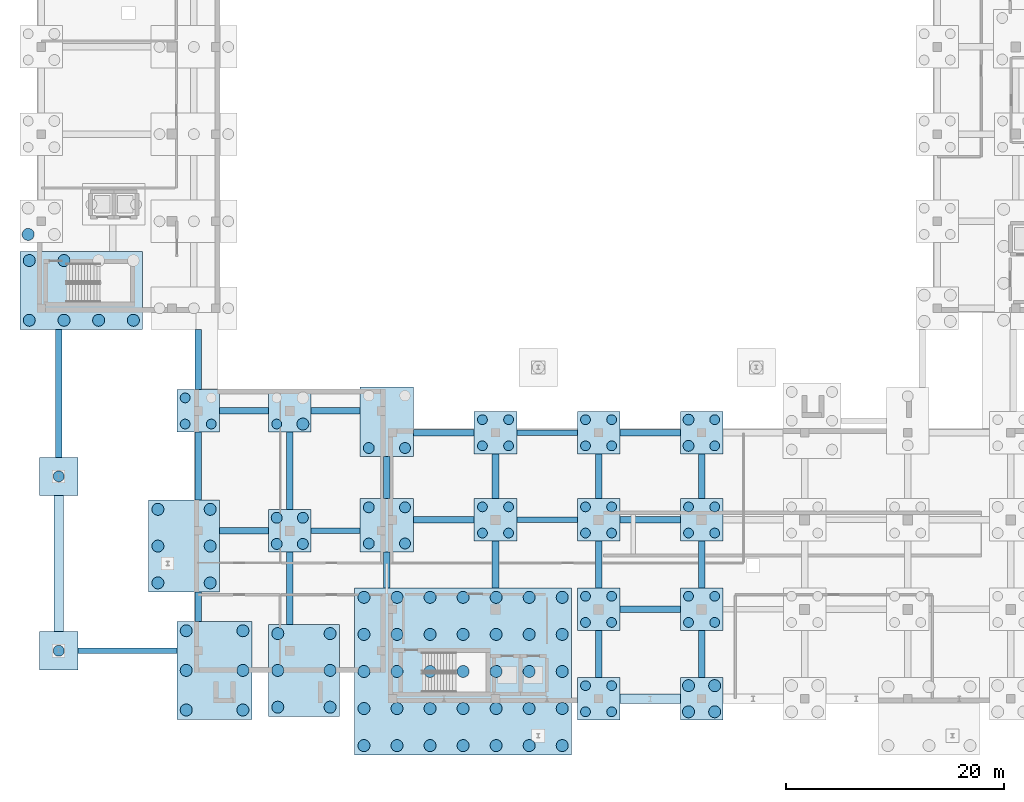
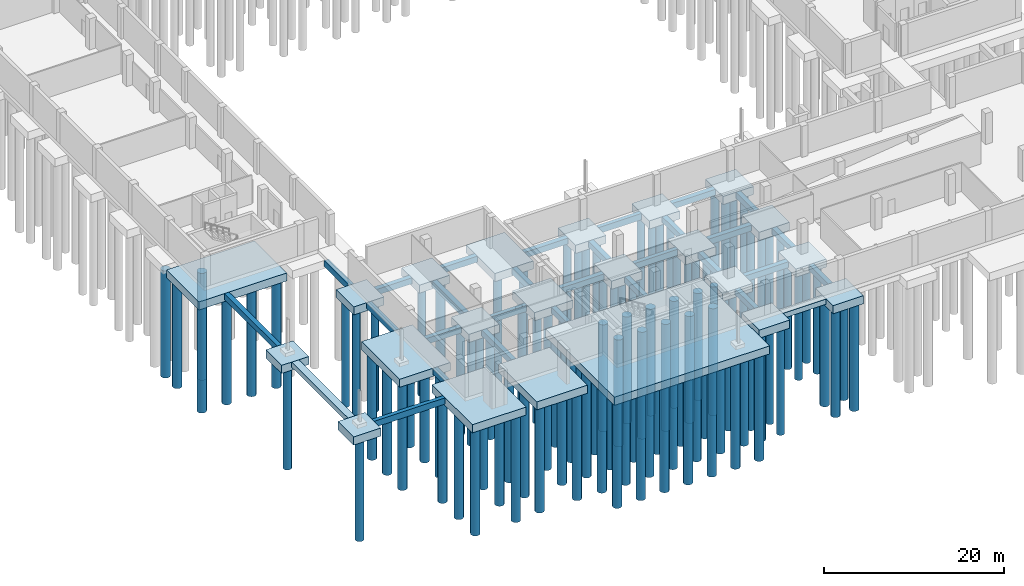
# One storey, part 1 of 31: 117 piles, 52 footings.
"""IFC4 building model written with IfcOpenShell, lengths in metres."""

from ifc_helpers import new_model, si_unit, direction, frame, origin, origin_2d, place, context, subcontext, project, spatial, rectangle, circle, extrude, material, material_profile, profile_set, type_object, element, save


model = new_model("IFC4")

# Units and contexts
model_context = context("Model", 3, precision=1e-05, world=origin(), true_north=direction((0.0, 1.0)))
body_context = subcontext(model_context, "Body", "Model", "MODEL_VIEW")
ifc_project = project(units=[si_unit("LENGTHUNIT", "METRE"), si_unit("AREAUNIT", "SQUARE_METRE"), si_unit("VOLUMEUNIT", "CUBIC_METRE"), si_unit("PLANEANGLEUNIT", "RADIAN"), si_unit("MASSUNIT", "GRAM", prefix="KILO")], contexts=[model_context])

# Site, building, storey
site_placement = place(None, origin())
site = spatial("IfcSite", under=ifc_project, at=site_placement, CompositionType="ELEMENT")
building_placement = place(site_placement, origin())
building = spatial("IfcBuilding", under=site, at=building_placement, Name="Qalavern Law Courts", CompositionType="ELEMENT")
storey_placement = place(building_placement, frame((0.0, 0.0, -8.39990234375)))
storey = spatial("IfcBuildingStorey", under=building, at=storey_placement, Name="B2", CompositionType="ELEMENT", Elevation=-8.39990234375)

# Footings
ifc_material = material(Name="Concrete C35/45", Category="concrete")
ifc_material_profile_1 = material_profile(ifc_material, rectangle(XDim=0.5, YDim=0.85009765625, at=origin_2d()), Name="RC 500x850")
ifc_profile_set_1 = profile_set([ifc_material_profile_1], Name="Concrete C35/45")
footing_type_1 = type_object("IfcFootingType", Name="STR-FB-500x850", PredefinedType="FOOTING_BEAM", material=ifc_profile_set_1)
footing_1_placement = place(storey_placement, frame((5.75, 10.0, -0.925048828125), z_axis=(1.0, 0.0, 0.0), x_axis=(0.0, 1.0, 0.0)))
element("IfcFooting", 1, at=footing_1_placement, inside=storey, type_object=footing_type_1, Name="Seismic tie beam 015", PredefinedType="FOOTING_BEAM", context=body_context, shape_type="SweptSolid", body=[
    extrude(rectangle(XDim=0.5, YDim=0.85009765625, at=origin_2d()), origin(), (0.0, 0.0, 1.0), 9.10009765625),
])
footing_2_placement = place(storey_placement, frame((27.14990234375, 21.0, -0.925048828125), z_axis=(1.0, 0.0, 0.0), x_axis=(0.0, 1.0, 0.0)))
element("IfcFooting", 2, at=footing_2_placement, inside=storey, type_object=footing_type_1, Name="Seismic tie beam 051", PredefinedType="FOOTING_BEAM", context=body_context, shape_type="SweptSolid", body=[
    extrude(rectangle(XDim=0.5, YDim=0.85009765625, at=origin_2d()), origin(), (0.0, 0.0, 1.0), 4.5),
])
for number, where, z_axis, x_axis, name in (
    (3, (46.02392578125, 22.0, -0.925048828125), (1.0, 0.0, 0.0), (0.0, 1.0, 0.0), "Seismic tie beam 057"),
    (4, (46.02392578125, 30.0, -0.925048828125), (1.0, 0.0, 0.0), (0.0, 1.0, 0.0), "Seismic tie beam 081"),
):
    element("IfcFooting", number, at=place(storey_placement, frame(where, z_axis=z_axis, x_axis=x_axis)), inside=storey, type_object=footing_type_1, Name=name, PredefinedType="FOOTING_BEAM", context=body_context, shape_type="SweptSolid", body=[
        extrude(rectangle(XDim=0.5, YDim=0.85009765625, at=origin_2d()), origin(), (0.0, 0.0, 1.0), 5.55517578125),
    ])
ifc_material_profile_2 = material_profile(ifc_material, rectangle(XDim=0.60009765625, YDim=0.800048828125, at=origin_2d()), Name="RC 600x800")
ifc_profile_set_2 = profile_set([ifc_material_profile_2], Name="Concrete C35/45")
footing_type_2 = type_object("IfcFootingType", Name="STR-FB-600x800", PredefinedType="FOOTING_BEAM", material=ifc_profile_set_2)
footing_3_placement = place(storey_placement, frame((34.110107421875, 15.75, -0.900146484375), z_axis=(0.0, 1.0, 0.0), x_axis=(-1.0, 0.0, 0.0)))
element("IfcFooting", 5, at=footing_3_placement, inside=storey, type_object=footing_type_2, Name="Seismic tie beam 008", PredefinedType="FOOTING_BEAM", context=body_context, shape_type="SweptSolid", body=[
    extrude(rectangle(XDim=0.60009765625, YDim=0.800048828125, at=origin_2d()), origin(), (0.0, 0.0, 1.0), 3.2900390625),
])
for number, where, z_axis, x_axis, name in (
    (6, (44.073974609375, 15.75, -0.900146484375), (0.0, 1.0, 0.0), (-1.0, 0.0, 0.0), "Seismic tie beam 009"),
    (7, (53.529052734375, 7.550048828125, -0.900146484375), (0.0, 1.0, 0.0), (-1.0, 0.0, 0.0), "Seismic tie beam 011"),
    (8, (62.98291015625, 7.550048828125, -0.900146484375), (0.0, 1.0, 0.0), (-1.0, 0.0, 0.0), "Seismic tie beam 012"),
):
    element("IfcFooting", number, at=place(storey_placement, frame(where, z_axis=z_axis, x_axis=x_axis)), inside=storey, type_object=footing_type_2, Name=name, PredefinedType="FOOTING_BEAM", context=body_context, shape_type="SweptSolid", body=[
        extrude(rectangle(XDim=0.60009765625, YDim=0.800048828125, at=origin_2d()), origin(), (0.0, 0.0, 1.0), 4.300048828125),
    ])
footing_4_placement = place(storey_placement, frame((16.800048828125, 12.68505859375, -0.900146484375), z_axis=(0.0, 1.0, 0.0), x_axis=(-1.0, 0.0, 0.0)))
element("IfcFooting", 9, at=footing_4_placement, inside=storey, type_object=footing_type_2, Name="Seismic tie beam 016", PredefinedType="FOOTING_BEAM", context=body_context, shape_type="SweptSolid", body=[
    extrude(rectangle(XDim=0.60009765625, YDim=0.800048828125, at=origin_2d()), origin(), (0.0, 0.0, 1.0), 2.68994140625),
])
footing_5_placement = place(storey_placement, frame((25.199951171875, 12.425048828125, -0.900146484375), z_axis=(0.0, 1.0, 0.0), x_axis=(-1.0, 0.0, 0.0)))
element("IfcFooting", 10, at=footing_5_placement, inside=storey, type_object=footing_type_2, Name="Seismic tie beam 017", PredefinedType="FOOTING_BEAM", context=body_context, shape_type="SweptSolid", body=[
    extrude(rectangle(XDim=0.60009765625, YDim=0.800048828125, at=origin_2d()), origin(), (0.0, 0.0, 1.0), 6.625),
])
footing_6_placement = place(storey_placement, frame((55.47900390625, 13.800048828125, -0.900146484375), z_axis=(1.0, 0.0, 0.0), x_axis=(0.0, 1.0, 0.0)))
element("IfcFooting", 11, at=footing_6_placement, inside=storey, type_object=footing_type_2, Name="Seismic tie beam 025", PredefinedType="FOOTING_BEAM", context=body_context, shape_type="SweptSolid", body=[
    extrude(rectangle(XDim=0.60009765625, YDim=0.800048828125, at=origin_2d()), origin(), (0.0, 0.0, 1.0), 5.553955078125),
])
for number, where, z_axis, x_axis, name in (
    (12, (53.529052734375, 15.75, -0.900146484375), (0.0, 1.0, 0.0), (-1.0, 0.0, 0.0), "Seismic tie beam 026"),
    (13, (62.98291015625, 15.75, -0.900146484375), (0.0, 1.0, 0.0), (-1.0, 0.0, 0.0), "Seismic tie beam 028"),
):
    element("IfcFooting", number, at=place(storey_placement, frame(where, z_axis=z_axis, x_axis=x_axis)), inside=storey, type_object=footing_type_2, Name=name, PredefinedType="FOOTING_BEAM", context=body_context, shape_type="SweptSolid", body=[
        extrude(rectangle(XDim=0.60009765625, YDim=0.800048828125, at=origin_2d()), origin(), (0.0, 0.0, 1.0), 4.300048828125),
    ])
footing_7_placement = place(storey_placement, frame((18.75, 21.0, -0.900146484375), z_axis=(1.0, 0.0, 0.0), x_axis=(0.0, 1.0, 0.0)))
element("IfcFooting", 14, at=footing_7_placement, inside=storey, type_object=footing_type_2, Name="Seismic tie beam 049", PredefinedType="FOOTING_BEAM", context=body_context, shape_type="SweptSolid", body=[
    extrude(rectangle(XDim=0.60009765625, YDim=0.800048828125, at=origin_2d()), origin(), (0.0, 0.0, 1.0), 4.5),
])
footing_8_placement = place(storey_placement, frame((16.800048828125, 23.824951171875, -0.900146484375), z_axis=(0.0, 1.0, 0.0), x_axis=(-1.0, 0.0, 0.0)))
element("IfcFooting", 15, at=footing_8_placement, inside=storey, type_object=footing_type_2, Name="Seismic tie beam 050", PredefinedType="FOOTING_BEAM", context=body_context, shape_type="SweptSolid", body=[
    extrude(rectangle(XDim=0.60009765625, YDim=0.800048828125, at=origin_2d()), origin(), (0.0, 0.0, 1.0), 6.22509765625),
])
footing_9_placement = place(storey_placement, frame((36.570068359375, 22.0, -0.900146484375), z_axis=(1.0, 0.0, 0.0), x_axis=(0.0, 1.0, 0.0)))
element("IfcFooting", 16, at=footing_9_placement, inside=storey, type_object=footing_type_2, Name="Seismic tie beam 052", PredefinedType="FOOTING_BEAM", context=body_context, shape_type="SweptSolid", body=[
    extrude(rectangle(XDim=0.60009765625, YDim=0.800048828125, at=origin_2d()), origin(), (0.0, 0.0, 1.0), 5.553955078125),
])
footing_10_placement = place(storey_placement, frame((34.110107421875, 23.9599609375, -0.900146484375), z_axis=(0.0, 1.0, 0.0), x_axis=(-1.0, 0.0, 0.0)))
element("IfcFooting", 17, at=footing_10_placement, inside=storey, type_object=footing_type_2, Name="Seismic tie beam 053", PredefinedType="FOOTING_BEAM", context=body_context, shape_type="SweptSolid", body=[
    extrude(rectangle(XDim=0.60009765625, YDim=0.800048828125, at=origin_2d()), origin(), (0.0, 0.0, 1.0), 3.842041015625),
])
footing_11_placement = place(storey_placement, frame((25.199951171875, 22.949951171875, -0.900146484375), z_axis=(0.0, 1.0, 0.0), x_axis=(-1.0, 0.0, 0.0)))
element("IfcFooting", 18, at=footing_11_placement, inside=storey, type_object=footing_type_2, Name="Seismic tie beam 054", PredefinedType="FOOTING_BEAM", context=body_context, shape_type="SweptSolid", body=[
    extrude(rectangle(XDim=0.60009765625, YDim=0.800048828125, at=origin_2d()), origin(), (0.0, 0.0, 1.0), 7.10009765625),
])
footing_12_placement = place(storey_placement, frame((44.073974609375, 23.949951171875, -0.900146484375), z_axis=(0.0, 1.0, 0.0), x_axis=(-1.0, 0.0, 0.0)))
element("IfcFooting", 19, at=footing_12_placement, inside=storey, type_object=footing_type_2, Name="Seismic tie beam 058", PredefinedType="FOOTING_BEAM", context=body_context, shape_type="SweptSolid", body=[
    extrude(rectangle(XDim=0.60009765625, YDim=0.800048828125, at=origin_2d()), origin(), (0.0, 0.0, 1.0), 4.10009765625),
])
footing_13_placement = place(storey_placement, frame((55.47900390625, 22.0, -0.900146484375), z_axis=(1.0, 0.0, 0.0), x_axis=(0.0, 1.0, 0.0)))
element("IfcFooting", 20, at=footing_13_placement, inside=storey, type_object=footing_type_2, Name="Seismic tie beam 059", PredefinedType="FOOTING_BEAM", context=body_context, shape_type="SweptSolid", body=[
    extrude(rectangle(XDim=0.60009765625, YDim=0.800048828125, at=origin_2d()), origin(), (0.0, 0.0, 1.0), 5.553955078125),
])
for number, where, z_axis, x_axis, name in (
    (21, (53.529052734375, 23.949951171875, -0.900146484375), (0.0, 1.0, 0.0), (-1.0, 0.0, 0.0), "Seismic tie beam 060"),
    (22, (62.98291015625, 23.949951171875, -0.900146484375), (0.0, 1.0, 0.0), (-1.0, 0.0, 0.0), "Seismic tie beam 062"),
):
    element("IfcFooting", number, at=place(storey_placement, frame(where, z_axis=z_axis, x_axis=x_axis)), inside=storey, type_object=footing_type_2, Name=name, PredefinedType="FOOTING_BEAM", context=body_context, shape_type="SweptSolid", body=[
        extrude(rectangle(XDim=0.60009765625, YDim=0.800048828125, at=origin_2d()), origin(), (0.0, 0.0, 1.0), 4.10009765625),
    ])
footing_14_placement = place(storey_placement, frame((4.0, 27.75, -0.900146484375), z_axis=(0.0, 1.0, 0.0), x_axis=(-1.0, 0.0, 0.0)))
element("IfcFooting", 23, at=footing_14_placement, inside=storey, type_object=footing_type_2, Name="Seismic tie beam 076", PredefinedType="FOOTING_BEAM", context=body_context, shape_type="SweptSolid", body=[
    extrude(rectangle(XDim=0.60009765625, YDim=0.800048828125, at=origin_2d()), origin(), (0.0, 0.0, 1.0), 11.719970703125),
])
footing_15_placement = place(storey_placement, frame((36.570068359375, 30.0, -0.900146484375), z_axis=(1.0, 0.0, 0.0), x_axis=(0.0, 1.0, 0.0)))
element("IfcFooting", 24, at=footing_15_placement, inside=storey, type_object=footing_type_2, Name="Seismic tie beam 079", PredefinedType="FOOTING_BEAM", context=body_context, shape_type="SweptSolid", body=[
    extrude(rectangle(XDim=0.60009765625, YDim=0.800048828125, at=origin_2d()), origin(), (0.0, 0.0, 1.0), 5.553955078125),
])
footing_16_placement = place(storey_placement, frame((27.14990234375, 32.0, -0.900146484375), z_axis=(1.0, 0.0, 0.0), x_axis=(0.0, 1.0, 0.0)))
element("IfcFooting", 25, at=footing_16_placement, inside=storey, type_object=footing_type_2, Name="Seismic tie beam 080", PredefinedType="FOOTING_BEAM", context=body_context, shape_type="SweptSolid", body=[
    extrude(rectangle(XDim=0.60009765625, YDim=0.800048828125, at=origin_2d()), origin(), (0.0, 0.0, 1.0), 4.5),
])
footing_17_placement = place(storey_placement, frame((55.47900390625, 30.0, -0.900146484375), z_axis=(1.0, 0.0, 0.0), x_axis=(0.0, 1.0, 0.0)))
element("IfcFooting", 26, at=footing_17_placement, inside=storey, type_object=footing_type_2, Name="Seismic tie beam 082", PredefinedType="FOOTING_BEAM", context=body_context, shape_type="SweptSolid", body=[
    extrude(rectangle(XDim=0.60009765625, YDim=0.800048828125, at=origin_2d()), origin(), (0.0, 0.0, 1.0), 5.553955078125),
])
footing_18_placement = place(storey_placement, frame((18.75, 32.0, -0.900146484375), z_axis=(1.0, 0.0, 0.0), x_axis=(0.0, 1.0, 0.0)))
element("IfcFooting", 27, at=footing_18_placement, inside=storey, type_object=footing_type_2, Name="Seismic tie beam 088", PredefinedType="FOOTING_BEAM", context=body_context, shape_type="SweptSolid", body=[
    extrude(rectangle(XDim=0.60009765625, YDim=0.800048828125, at=origin_2d()), origin(), (0.0, 0.0, 1.0), 4.5),
])
footing_19_placement = place(storey_placement, frame((16.800048828125, 33.949951171875, -0.900146484375), z_axis=(0.0, 1.0, 0.0), x_axis=(-1.0, 0.0, 0.0)))
element("IfcFooting", 28, at=footing_19_placement, inside=storey, type_object=footing_type_2, Name="Seismic tie beam 089", PredefinedType="FOOTING_BEAM", context=body_context, shape_type="SweptSolid", body=[
    extrude(rectangle(XDim=0.60009765625, YDim=0.800048828125, at=origin_2d()), origin(), (0.0, 0.0, 1.0), 5.52001953125),
])
footing_type_3 = type_object("IfcFootingType", Name="STR-PC-11250x7180x1100", PredefinedType="PILE_CAP", material=ifc_material)
footing_20_placement = place(storey_placement, frame((6.074951171875, 43.06005859375, -1.60009765625), z_axis=(0.0, 0.0, 1.0), x_axis=(1.0, 0.0, 0.0)))
element("IfcFooting", 29, at=footing_20_placement, inside=storey, type_object=footing_type_3, Name="Pile cap 069", PredefinedType="PILE_CAP", context=body_context, shape_type="SweptSolid", body=[
    extrude(rectangle(XDim=11.25, YDim=7.179931640625, at=origin_2d()), origin(), (0.0, 0.0, 1.0), 1.10009765625),
])
footing_type_4 = type_object("IfcFootingType", Name="STR-PC-19890x15300x1100", PredefinedType="PILE_CAP", material=ifc_material)
footing_21_placement = place(storey_placement, frame((41.10107421875, 8.10009765625, -1.60009765625), z_axis=(0.0, 0.0, 1.0), x_axis=(1.0, 0.0, 0.0)))
element("IfcFooting", 30, at=footing_21_placement, inside=storey, type_object=footing_type_4, Name="Pile cap 009", PredefinedType="PILE_CAP", context=body_context, shape_type="SweptSolid", body=[
    extrude(rectangle(XDim=19.889892578125, YDim=15.300048828125, at=origin_2d()), origin(), (0.0, 0.0, 1.0), 1.10009765625),
])
footing_type_5 = type_object("IfcFootingType", Name="STR-PC-3500x3500x1100", PredefinedType="PILE_CAP", material=ifc_material)
for number, where, z_axis, x_axis, name in (
    (31, (4.0, 10.0, -1.60009765625), (0.0, 0.0, 1.0), (1.0, 0.0, 0.0), "Pile cap 023"),
    (32, (4.0, 26.0, -1.60009765625), (0.0, 0.0, 1.0), (1.0, 0.0, 0.0), "Pile cap 056"),
):
    element("IfcFooting", number, at=place(storey_placement, frame(where, z_axis=z_axis, x_axis=x_axis)), inside=storey, type_object=footing_type_5, Name=name, PredefinedType="PILE_CAP", context=body_context, shape_type="SweptSolid", body=[
        extrude(rectangle(XDim=3.5, YDim=3.5, at=origin_2d()), origin(), (0.0, 0.0, 1.0), 1.10009765625),
    ])
footing_type_6 = type_object("IfcFootingType", Name="STR-PC-3900x3900x1100", PredefinedType="PILE_CAP", material=ifc_material)
for number, where, z_axis, x_axis, name in (
    (33, (53.529052734375, 5.60009765625, -1.60009765625), (0.0, 0.0, 1.0), (1.0, 0.0, 0.0), "Pile cap 011"),
    (34, (62.98291015625, 5.60009765625, -1.60009765625), (0.0, 0.0, 1.0), (1.0, 0.0, 0.0), "Pile cap 012"),
    (35, (53.529052734375, 13.800048828125, -1.60009765625), (0.0, 0.0, 1.0), (1.0, 0.0, 0.0), "Pile cap 025"),
    (36, (62.98291015625, 13.800048828125, -1.60009765625), (0.0, 0.0, 1.0), (1.0, 0.0, 0.0), "Pile cap 026"),
    (37, (25.199951171875, 21.0, -1.60009765625), (0.0, 0.0, 1.0), (1.0, 0.0, 0.0), "Pile cap 040"),
    (38, (44.073974609375, 22.0, -1.60009765625), (0.0, 0.0, 1.0), (1.0, 0.0, 0.0), "Pile cap 042"),
    (39, (53.529052734375, 22.0, -1.60009765625), (0.0, 0.0, 1.0), (1.0, 0.0, 0.0), "Pile cap 043"),
    (40, (62.98291015625, 22.0, -1.60009765625), (0.0, 0.0, 1.0), (1.0, 0.0, 0.0), "Pile cap 044"),
    (41, (44.073974609375, 30.0, -1.60009765625), (0.0, 0.0, 1.0), (1.0, 0.0, 0.0), "Pile cap 059"),
    (42, (53.529052734375, 30.0, -1.60009765625), (0.0, 0.0, 1.0), (1.0, 0.0, 0.0), "Pile cap 060"),
    (43, (62.98291015625, 30.0, -1.60009765625), (0.0, 0.0, 1.0), (1.0, 0.0, 0.0), "Pile cap 061"),
    (44, (16.800048828125, 32.0, -1.60009765625), (0.0, 0.0, 1.0), (1.0, 0.0, 0.0), "Pile cap 065"),
    (45, (25.199951171875, 32.0, -1.60009765625), (0.0, 0.0, 1.0), (1.0, 0.0, 0.0), "Pile cap 066"),
):
    element("IfcFooting", number, at=place(storey_placement, frame(where, z_axis=z_axis, x_axis=x_axis)), inside=storey, type_object=footing_type_6, Name=name, PredefinedType="PILE_CAP", context=body_context, shape_type="SweptSolid", body=[
        extrude(rectangle(XDim=3.89990234375, YDim=3.89990234375, at=origin_2d()), origin(), (0.0, 0.0, 1.0), 1.10009765625),
    ])
footing_type_7 = type_object("IfcFootingType", Name="STR-PC-4920x4920x1100", PredefinedType="PILE_CAP", material=ifc_material)
footing_22_placement = place(storey_placement, frame((34.110107421875, 21.5, -1.60009765625), z_axis=(0.0, 0.0, 1.0), x_axis=(1.0, 0.0, 0.0)))
element("IfcFooting", 46, at=footing_22_placement, inside=storey, type_object=footing_type_7, Name="Pile cap 039", PredefinedType="PILE_CAP", context=body_context, shape_type="SweptSolid", body=[
    extrude(rectangle(XDim=4.919921875, YDim=4.919921875, at=origin_2d()), origin(), (0.0, 0.0, 1.0), 1.10009765625),
])
footing_type_8 = type_object("IfcFootingType", Name="STR-PC-4920x6396x1100", PredefinedType="PILE_CAP", material=ifc_material)
footing_23_placement = place(storey_placement, frame((34.110107421875, 31.0, -1.60009765625), z_axis=(0.0, 0.0, 1.0), x_axis=(1.0, 0.0, 0.0)))
element("IfcFooting", 47, at=footing_23_placement, inside=storey, type_object=footing_type_8, Name="Pile cap 058", PredefinedType="PILE_CAP", context=body_context, shape_type="SweptSolid", body=[
    extrude(rectangle(XDim=4.919921875, YDim=6.39599609375, at=origin_2d()), origin(), (0.0, 0.0, 1.0), 1.10009765625),
])
footing_type_9 = type_object("IfcFootingType", Name="STR-PC-6500x8450x1100", PredefinedType="PILE_CAP", material=ifc_material)
for number, where, z_axis, x_axis, name in (
    (48, (26.5, 8.199951171875, -1.60009765625), (0.0, 0.0, 1.0), (1.0, 0.0, 0.0), "Pile cap 016"),
    (49, (15.5, 19.60009765625, -1.60009765625), (0.0, 0.0, 1.0), (1.0, 0.0, 0.0), "Pile cap 038"),
):
    element("IfcFooting", number, at=place(storey_placement, frame(where, z_axis=z_axis, x_axis=x_axis)), inside=storey, type_object=footing_type_9, Name=name, PredefinedType="PILE_CAP", context=body_context, shape_type="SweptSolid", body=[
        extrude(rectangle(XDim=6.5, YDim=8.449951171875, at=origin_2d()), origin(), (0.0, 0.0, 1.0), 1.10009765625),
    ])
footing_type_10 = type_object("IfcFootingType", Name="STR-PC-6900x8970x1100", PredefinedType="PILE_CAP", material=ifc_material)
footing_24_placement = place(storey_placement, frame((18.300048828125, 8.199951171875, -1.60009765625), z_axis=(0.0, 0.0, 1.0), x_axis=(1.0, 0.0, 0.0)))
element("IfcFooting", 50, at=footing_24_placement, inside=storey, type_object=footing_type_10, Name="Pile cap 015", PredefinedType="PILE_CAP", context=body_context, shape_type="SweptSolid", body=[
    extrude(rectangle(XDim=6.89990234375, YDim=8.969970703125, at=origin_2d()), origin(), (0.0, 0.0, 1.0), 1.10009765625),
])

# Piles
ifc_material_profile_3 = material_profile(ifc_material, circle(Radius=0.5, at=origin_2d()), Name="BORED PILE 1000")
ifc_profile_set_3 = profile_set([ifc_material_profile_3], Name="Concrete C35/45")
pile_type_1 = type_object("IfcPileType", Name="STR-PILE-1000", PredefinedType="BORED", material=ifc_profile_set_3)
for number, where, z_axis, x_axis, name in (
    (51, (4.0, 10.0, -1.5), (0.0, 0.0, -1.0), (1.0, 0.0, 0.0), "Bored pile 0128"),
    (52, (32.449951171875, 19.840087890625, -1.5), (0.0, 0.0, -1.0), (1.0, 0.0, 0.0), "Bored pile 0191"),
    (53, (32.449951171875, 23.159912109375, -1.5), (0.0, 0.0, -1.0), (1.0, 0.0, 0.0), "Bored pile 0192"),
    (54, (35.77001953125, 19.840087890625, -1.5), (0.0, 0.0, -1.0), (1.0, 0.0, 0.0), "Bored pile 0193"),
    (55, (35.77001953125, 23.159912109375, -1.5), (0.0, 0.0, -1.0), (1.0, 0.0, 0.0), "Bored pile 0194"),
    (56, (24.0, 19.800048828125, -1.5), (0.0, 0.0, -1.0), (1.0, 0.0, 0.0), "Bored pile 0195"),
    (57, (24.0, 22.199951171875, -1.5), (0.0, 0.0, -1.0), (1.0, 0.0, 0.0), "Bored pile 0196"),
    (58, (26.39990234375, 19.800048828125, -1.5), (0.0, 0.0, -1.0), (1.0, 0.0, 0.0), "Bored pile 0197"),
    (59, (26.39990234375, 22.199951171875, -1.5), (0.0, 0.0, -1.0), (1.0, 0.0, 0.0), "Bored pile 0198"),
    (60, (4.0, 26.0, -1.5), (0.0, 0.0, -1.0), (1.0, 0.0, 0.0), "Bored pile 0257"),
    (61, (32.449951171875, 28.60205078125, -1.5), (0.0, 0.0, -1.0), (1.0, 0.0, 0.0), "Bored pile 0264"),
    (62, (35.77001953125, 28.60205078125, -1.5), (0.0, 0.0, -1.0), (1.0, 0.0, 0.0), "Bored pile 0266"),
    (63, (61.782958984375, 28.800048828125, -1.5), (0.0, 0.0, -1.0), (1.0, 0.0, 0.0), "Bored pile 0276"),
    (64, (61.782958984375, 31.199951171875, -1.5), (0.0, 0.0, -1.0), (1.0, 0.0, 0.0), "Bored pile 0277"),
):
    element("IfcPile", number, at=place(storey_placement, frame(where, z_axis=z_axis, x_axis=x_axis)), inside=storey, type_object=pile_type_1, Name=name, PredefinedType="BORED", context=body_context, shape_type="SweptSolid", body=[
        extrude(circle(Radius=0.5, at=origin_2d()), origin(), (0.0, 0.0, 1.0), 14.5),
    ])
ifc_material_profile_4 = material_profile(ifc_material, circle(Radius=0.550048828125, at=origin_2d()), Name="BORED PILE 1100")
ifc_profile_set_4 = profile_set([ifc_material_profile_4], Name="Concrete C35/45")
pile_type_2 = type_object("IfcPileType", Name="STR-PILE-1100", PredefinedType="BORED", material=ifc_profile_set_4)
for number, where, z_axis, x_axis, name in (
    (65, (32.006103515625, 1.300048828125, -1.5), (0.0, 0.0, -1.0), (1.0, 0.0, 0.0), "Bored pile 0035"),
    (66, (32.006103515625, 4.699951171875, -1.5), (0.0, 0.0, -1.0), (1.0, 0.0, 0.0), "Bored pile 0036"),
    (67, (32.006103515625, 8.10009765625, -1.5), (0.0, 0.0, -1.0), (1.0, 0.0, 0.0), "Bored pile 0037"),
    (68, (32.006103515625, 11.5, -1.5), (0.0, 0.0, -1.0), (1.0, 0.0, 0.0), "Bored pile 0038"),
    (69, (32.006103515625, 14.89990234375, -1.5), (0.0, 0.0, -1.0), (1.0, 0.0, 0.0), "Bored pile 0039"),
    (70, (35.03759765625, 1.300048828125, -1.5), (0.0, 0.0, -1.0), (1.0, 0.0, 0.0), "Bored pile 0040"),
    (71, (35.03759765625, 4.699951171875, -1.5), (0.0, 0.0, -1.0), (1.0, 0.0, 0.0), "Bored pile 0041"),
    (72, (35.03759765625, 8.10009765625, -1.5), (0.0, 0.0, -1.0), (1.0, 0.0, 0.0), "Bored pile 0042"),
    (73, (35.03759765625, 11.5, -1.5), (0.0, 0.0, -1.0), (1.0, 0.0, 0.0), "Bored pile 0043"),
    (74, (35.03759765625, 14.89990234375, -1.5), (0.0, 0.0, -1.0), (1.0, 0.0, 0.0), "Bored pile 0044"),
    (75, (38.0693359375, 1.300048828125, -1.5), (0.0, 0.0, -1.0), (1.0, 0.0, 0.0), "Bored pile 0045"),
    (76, (38.0693359375, 4.699951171875, -1.5), (0.0, 0.0, -1.0), (1.0, 0.0, 0.0), "Bored pile 0046"),
    (77, (38.0693359375, 8.10009765625, -1.5), (0.0, 0.0, -1.0), (1.0, 0.0, 0.0), "Bored pile 0047"),
    (78, (38.0693359375, 11.5, -1.5), (0.0, 0.0, -1.0), (1.0, 0.0, 0.0), "Bored pile 0048"),
    (79, (38.0693359375, 14.89990234375, -1.5), (0.0, 0.0, -1.0), (1.0, 0.0, 0.0), "Bored pile 0049"),
    (80, (41.10107421875, 1.300048828125, -1.5), (0.0, 0.0, -1.0), (1.0, 0.0, 0.0), "Bored pile 0050"),
    (81, (41.10107421875, 4.699951171875, -1.5), (0.0, 0.0, -1.0), (1.0, 0.0, 0.0), "Bored pile 0051"),
    (82, (41.10107421875, 8.10009765625, -1.5), (0.0, 0.0, -1.0), (1.0, 0.0, 0.0), "Bored pile 0052"),
    (83, (41.10107421875, 11.5, -1.5), (0.0, 0.0, -1.0), (1.0, 0.0, 0.0), "Bored pile 0053"),
    (84, (41.10107421875, 14.89990234375, -1.5), (0.0, 0.0, -1.0), (1.0, 0.0, 0.0), "Bored pile 0054"),
    (85, (44.1328125, 1.300048828125, -1.5), (0.0, 0.0, -1.0), (1.0, 0.0, 0.0), "Bored pile 0055"),
    (86, (44.1328125, 4.699951171875, -1.5), (0.0, 0.0, -1.0), (1.0, 0.0, 0.0), "Bored pile 0056"),
    (87, (44.1328125, 8.10009765625, -1.5), (0.0, 0.0, -1.0), (1.0, 0.0, 0.0), "Bored pile 0057"),
    (88, (44.1328125, 11.5, -1.5), (0.0, 0.0, -1.0), (1.0, 0.0, 0.0), "Bored pile 0058"),
    (89, (44.1328125, 14.89990234375, -1.5), (0.0, 0.0, -1.0), (1.0, 0.0, 0.0), "Bored pile 0059"),
    (90, (47.164306640625, 1.300048828125, -1.5), (0.0, 0.0, -1.0), (1.0, 0.0, 0.0), "Bored pile 0060"),
    (91, (47.164306640625, 4.699951171875, -1.5), (0.0, 0.0, -1.0), (1.0, 0.0, 0.0), "Bored pile 0061"),
    (92, (47.164306640625, 8.10009765625, -1.5), (0.0, 0.0, -1.0), (1.0, 0.0, 0.0), "Bored pile 0062"),
    (93, (47.164306640625, 11.5, -1.5), (0.0, 0.0, -1.0), (1.0, 0.0, 0.0), "Bored pile 0063"),
    (94, (47.164306640625, 14.89990234375, -1.5), (0.0, 0.0, -1.0), (1.0, 0.0, 0.0), "Bored pile 0064"),
    (95, (50.196044921875, 1.300048828125, -1.5), (0.0, 0.0, -1.0), (1.0, 0.0, 0.0), "Bored pile 0065"),
    (96, (50.196044921875, 4.699951171875, -1.5), (0.0, 0.0, -1.0), (1.0, 0.0, 0.0), "Bored pile 0066"),
    (97, (50.196044921875, 8.10009765625, -1.5), (0.0, 0.0, -1.0), (1.0, 0.0, 0.0), "Bored pile 0067"),
    (98, (50.196044921875, 11.5, -1.5), (0.0, 0.0, -1.0), (1.0, 0.0, 0.0), "Bored pile 0068"),
    (99, (50.196044921875, 14.89990234375, -1.5), (0.0, 0.0, -1.0), (1.0, 0.0, 0.0), "Bored pile 0069"),
    (100, (61.782958984375, 4.39990234375, -1.5), (0.0, 0.0, -1.0), (1.0, 0.0, 0.0), "Bored pile 0080"),
    (101, (61.782958984375, 6.800048828125, -1.5), (0.0, 0.0, -1.0), (1.0, 0.0, 0.0), "Bored pile 0081"),
    (102, (64.18310546875, 4.39990234375, -1.5), (0.0, 0.0, -1.0), (1.0, 0.0, 0.0), "Bored pile 0082"),
    (103, (64.18310546875, 6.800048828125, -1.5), (0.0, 0.0, -1.0), (1.0, 0.0, 0.0), "Bored pile 0083"),
    (104, (15.699951171875, 4.56494140625, -1.5), (0.0, 0.0, -1.0), (1.0, 0.0, 0.0), "Bored pile 0092"),
    (105, (15.699951171875, 8.199951171875, -1.5), (0.0, 0.0, -1.0), (1.0, 0.0, 0.0), "Bored pile 0093"),
    (106, (15.699951171875, 11.8349609375, -1.5), (0.0, 0.0, -1.0), (1.0, 0.0, 0.0), "Bored pile 0094"),
    (107, (20.89990234375, 4.56494140625, -1.5), (0.0, 0.0, -1.0), (1.0, 0.0, 0.0), "Bored pile 0095"),
    (108, (20.89990234375, 8.199951171875, -1.5), (0.0, 0.0, -1.0), (1.0, 0.0, 0.0), "Bored pile 0096"),
    (109, (20.89990234375, 11.8349609375, -1.5), (0.0, 0.0, -1.0), (1.0, 0.0, 0.0), "Bored pile 0097"),
    (110, (24.10009765625, 4.824951171875, -1.5), (0.0, 0.0, -1.0), (1.0, 0.0, 0.0), "Bored pile 0098"),
    (111, (24.10009765625, 8.199951171875, -1.5), (0.0, 0.0, -1.0), (1.0, 0.0, 0.0), "Bored pile 0099"),
    (112, (24.10009765625, 11.574951171875, -1.5), (0.0, 0.0, -1.0), (1.0, 0.0, 0.0), "Bored pile 0100"),
    (113, (28.89990234375, 4.824951171875, -1.5), (0.0, 0.0, -1.0), (1.0, 0.0, 0.0), "Bored pile 0101"),
    (114, (28.89990234375, 8.199951171875, -1.5), (0.0, 0.0, -1.0), (1.0, 0.0, 0.0), "Bored pile 0102"),
    (115, (28.89990234375, 11.574951171875, -1.5), (0.0, 0.0, -1.0), (1.0, 0.0, 0.0), "Bored pile 0103"),
    (116, (13.10009765625, 16.22509765625, -1.5), (0.0, 0.0, -1.0), (1.0, 0.0, 0.0), "Bored pile 0185"),
    (117, (13.10009765625, 19.60009765625, -1.5), (0.0, 0.0, -1.0), (1.0, 0.0, 0.0), "Bored pile 0186"),
    (118, (13.10009765625, 22.97509765625, -1.5), (0.0, 0.0, -1.0), (1.0, 0.0, 0.0), "Bored pile 0187"),
    (119, (17.89990234375, 16.22509765625, -1.5), (0.0, 0.0, -1.0), (1.0, 0.0, 0.0), "Bored pile 0188"),
    (120, (17.89990234375, 19.60009765625, -1.5), (0.0, 0.0, -1.0), (1.0, 0.0, 0.0), "Bored pile 0189"),
    (121, (17.89990234375, 22.97509765625, -1.5), (0.0, 0.0, -1.0), (1.0, 0.0, 0.0), "Bored pile 0190"),
    (122, (26.39990234375, 30.800048828125, -1.5), (0.0, 0.0, -1.0), (1.0, 0.0, 0.0), "Bored pile 0296"),
    (123, (1.300048828125, 40.320068359375, -1.5), (0.0, 0.0, -1.0), (1.0, 0.0, 0.0), "Bored pile 0300"),
    (124, (1.300048828125, 45.800048828125, -1.5), (0.0, 0.0, -1.0), (1.0, 0.0, 0.0), "Bored pile 0301"),
    (125, (4.4833984375, 40.320068359375, -1.5), (0.0, 0.0, -1.0), (1.0, 0.0, 0.0), "Bored pile 0302"),
    (126, (4.4833984375, 45.800048828125, -1.5), (0.0, 0.0, -1.0), (1.0, 0.0, 0.0), "Bored pile 0303"),
    (127, (7.666748046875, 40.320068359375, -1.5), (0.0, 0.0, -1.0), (1.0, 0.0, 0.0), "Bored pile 0304"),
    (128, (10.85009765625, 40.320068359375, -1.5), (0.0, 0.0, -1.0), (1.0, 0.0, 0.0), "Bored pile 0306"),
    (129, (1.199951171875, 48.199951171875, -1.5), (0.0, 0.0, -1.0), (1.0, 0.0, 0.0), "Bored pile 0339"),
):
    element("IfcPile", number, at=place(storey_placement, frame(where, z_axis=z_axis, x_axis=x_axis)), inside=storey, type_object=pile_type_2, Name=name, PredefinedType="BORED", context=body_context, shape_type="SweptSolid", body=[
        extrude(circle(Radius=0.550048828125, at=origin_2d()), origin(), (0.0, 0.0, 1.0), 14.5),
    ])
ifc_material_profile_5 = material_profile(ifc_material, circle(Radius=0.449951171875, at=origin_2d()), Name="BORED PILE 900")
ifc_profile_set_5 = profile_set([ifc_material_profile_5], Name="Concrete C35/45")
pile_type_3 = type_object("IfcPileType", Name="STR-PILE-900", PredefinedType="BORED", material=ifc_profile_set_5)
for number, where, z_axis, x_axis, name in (
    (130, (52.3291015625, 4.39990234375, -1.5), (0.0, 0.0, -1.0), (1.0, 0.0, 0.0), "Bored pile 0076"),
    (131, (52.3291015625, 6.800048828125, -1.5), (0.0, 0.0, -1.0), (1.0, 0.0, 0.0), "Bored pile 0077"),
    (132, (54.72900390625, 4.39990234375, -1.5), (0.0, 0.0, -1.0), (1.0, 0.0, 0.0), "Bored pile 0078"),
    (133, (54.72900390625, 6.800048828125, -1.5), (0.0, 0.0, -1.0), (1.0, 0.0, 0.0), "Bored pile 0079"),
    (134, (52.3291015625, 12.60009765625, -1.5), (0.0, 0.0, -1.0), (1.0, 0.0, 0.0), "Bored pile 0133"),
    (135, (52.3291015625, 15.0, -1.5), (0.0, 0.0, -1.0), (1.0, 0.0, 0.0), "Bored pile 0134"),
    (136, (54.72900390625, 12.60009765625, -1.5), (0.0, 0.0, -1.0), (1.0, 0.0, 0.0), "Bored pile 0135"),
    (137, (54.72900390625, 15.0, -1.5), (0.0, 0.0, -1.0), (1.0, 0.0, 0.0), "Bored pile 0136"),
    (138, (61.782958984375, 12.60009765625, -1.5), (0.0, 0.0, -1.0), (1.0, 0.0, 0.0), "Bored pile 0137"),
    (139, (61.782958984375, 15.0, -1.5), (0.0, 0.0, -1.0), (1.0, 0.0, 0.0), "Bored pile 0138"),
    (140, (64.18310546875, 12.60009765625, -1.5), (0.0, 0.0, -1.0), (1.0, 0.0, 0.0), "Bored pile 0139"),
    (141, (64.18310546875, 15.0, -1.5), (0.0, 0.0, -1.0), (1.0, 0.0, 0.0), "Bored pile 0140"),
    (142, (42.8740234375, 20.800048828125, -1.5), (0.0, 0.0, -1.0), (1.0, 0.0, 0.0), "Bored pile 0205"),
    (143, (42.8740234375, 23.199951171875, -1.5), (0.0, 0.0, -1.0), (1.0, 0.0, 0.0), "Bored pile 0206"),
    (144, (45.27392578125, 20.800048828125, -1.5), (0.0, 0.0, -1.0), (1.0, 0.0, 0.0), "Bored pile 0207"),
    (145, (45.27392578125, 23.199951171875, -1.5), (0.0, 0.0, -1.0), (1.0, 0.0, 0.0), "Bored pile 0208"),
    (146, (52.3291015625, 20.800048828125, -1.5), (0.0, 0.0, -1.0), (1.0, 0.0, 0.0), "Bored pile 0209"),
    (147, (52.3291015625, 23.199951171875, -1.5), (0.0, 0.0, -1.0), (1.0, 0.0, 0.0), "Bored pile 0210"),
    (148, (54.72900390625, 20.800048828125, -1.5), (0.0, 0.0, -1.0), (1.0, 0.0, 0.0), "Bored pile 0211"),
    (149, (54.72900390625, 23.199951171875, -1.5), (0.0, 0.0, -1.0), (1.0, 0.0, 0.0), "Bored pile 0212"),
    (150, (61.782958984375, 20.800048828125, -1.5), (0.0, 0.0, -1.0), (1.0, 0.0, 0.0), "Bored pile 0213"),
    (151, (61.782958984375, 23.199951171875, -1.5), (0.0, 0.0, -1.0), (1.0, 0.0, 0.0), "Bored pile 0214"),
    (152, (64.18310546875, 20.800048828125, -1.5), (0.0, 0.0, -1.0), (1.0, 0.0, 0.0), "Bored pile 0215"),
    (153, (64.18310546875, 23.199951171875, -1.5), (0.0, 0.0, -1.0), (1.0, 0.0, 0.0), "Bored pile 0216"),
    (154, (42.8740234375, 28.800048828125, -1.5), (0.0, 0.0, -1.0), (1.0, 0.0, 0.0), "Bored pile 0268"),
    (155, (42.8740234375, 31.199951171875, -1.5), (0.0, 0.0, -1.0), (1.0, 0.0, 0.0), "Bored pile 0269"),
    (156, (45.27392578125, 28.800048828125, -1.5), (0.0, 0.0, -1.0), (1.0, 0.0, 0.0), "Bored pile 0270"),
    (157, (45.27392578125, 31.199951171875, -1.5), (0.0, 0.0, -1.0), (1.0, 0.0, 0.0), "Bored pile 0271"),
    (158, (52.3291015625, 28.800048828125, -1.5), (0.0, 0.0, -1.0), (1.0, 0.0, 0.0), "Bored pile 0272"),
    (159, (52.3291015625, 31.199951171875, -1.5), (0.0, 0.0, -1.0), (1.0, 0.0, 0.0), "Bored pile 0273"),
    (160, (54.72900390625, 28.800048828125, -1.5), (0.0, 0.0, -1.0), (1.0, 0.0, 0.0), "Bored pile 0274"),
    (161, (54.72900390625, 31.199951171875, -1.5), (0.0, 0.0, -1.0), (1.0, 0.0, 0.0), "Bored pile 0275"),
    (162, (64.18310546875, 28.800048828125, -1.5), (0.0, 0.0, -1.0), (1.0, 0.0, 0.0), "Bored pile 0278"),
    (163, (64.18310546875, 31.199951171875, -1.5), (0.0, 0.0, -1.0), (1.0, 0.0, 0.0), "Bored pile 0279"),
    (164, (15.60009765625, 30.800048828125, -1.5), (0.0, 0.0, -1.0), (1.0, 0.0, 0.0), "Bored pile 0290"),
    (165, (15.60009765625, 33.199951171875, -1.5), (0.0, 0.0, -1.0), (1.0, 0.0, 0.0), "Bored pile 0291"),
    (166, (18.0, 30.800048828125, -1.5), (0.0, 0.0, -1.0), (1.0, 0.0, 0.0), "Bored pile 0292"),
    (167, (24.0, 30.800048828125, -1.5), (0.0, 0.0, -1.0), (1.0, 0.0, 0.0), "Bored pile 0294"),
):
    element("IfcPile", number, at=place(storey_placement, frame(where, z_axis=z_axis, x_axis=x_axis)), inside=storey, type_object=pile_type_3, Name=name, PredefinedType="BORED", context=body_context, shape_type="SweptSolid", body=[
        extrude(circle(Radius=0.449951171875, at=origin_2d()), origin(), (0.0, 0.0, 1.0), 14.5),
    ])

# Footings
ifc_material_profile_6 = material_profile(ifc_material, rectangle(XDim=0.89990234375, YDim=0.699951171875, at=origin_2d()), Name="RC 900x700")
ifc_profile_set_6 = profile_set([ifc_material_profile_6], Name="Concrete C35/45")
footing_type_11 = type_object("IfcFootingType", Name="STR-SF-900x700", PredefinedType="STRIP_FOOTING", material=ifc_profile_set_6)
footing_25_placement = place(storey_placement, frame((55.47900390625, 5.60009765625, -0.85009765625), z_axis=(1.0, 0.0, 0.0), x_axis=(0.0, 1.0, 0.0)))
element("IfcFooting", 168, at=footing_25_placement, inside=storey, type_object=footing_type_11, Name="Perimeter strip footing 012", PredefinedType="STRIP_FOOTING", context=body_context, shape_type="SweptSolid", body=[
    extrude(rectangle(XDim=0.89990234375, YDim=0.699951171875, at=origin_2d()), origin(), (0.0, 0.0, 1.0), 5.553955078125),
])
footing_26_placement = place(storey_placement, frame((4.0, 11.75, -0.85009765625), z_axis=(0.0, 1.0, 0.0), x_axis=(-1.0, 0.0, 0.0)))
element("IfcFooting", 169, at=footing_26_placement, inside=storey, type_object=footing_type_11, Name="Perimeter strip footing 014", PredefinedType="STRIP_FOOTING", context=body_context, shape_type="SweptSolid", body=[
    extrude(rectangle(XDim=0.89990234375, YDim=0.699951171875, at=origin_2d()), origin(), (0.0, 0.0, 1.0), 12.5),
])

save(model, "model.ifc")
